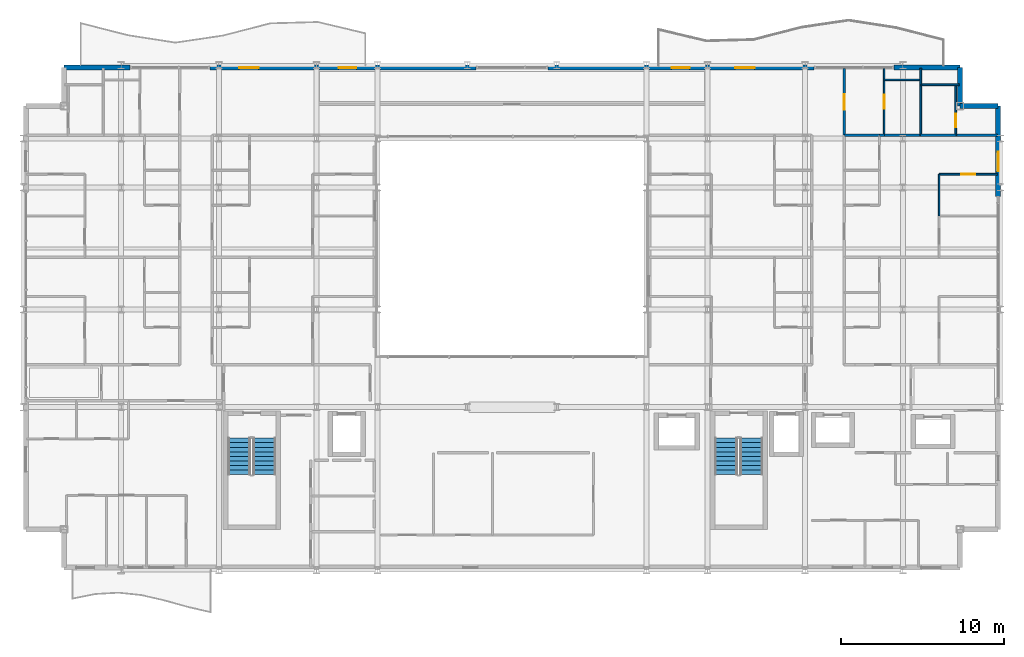
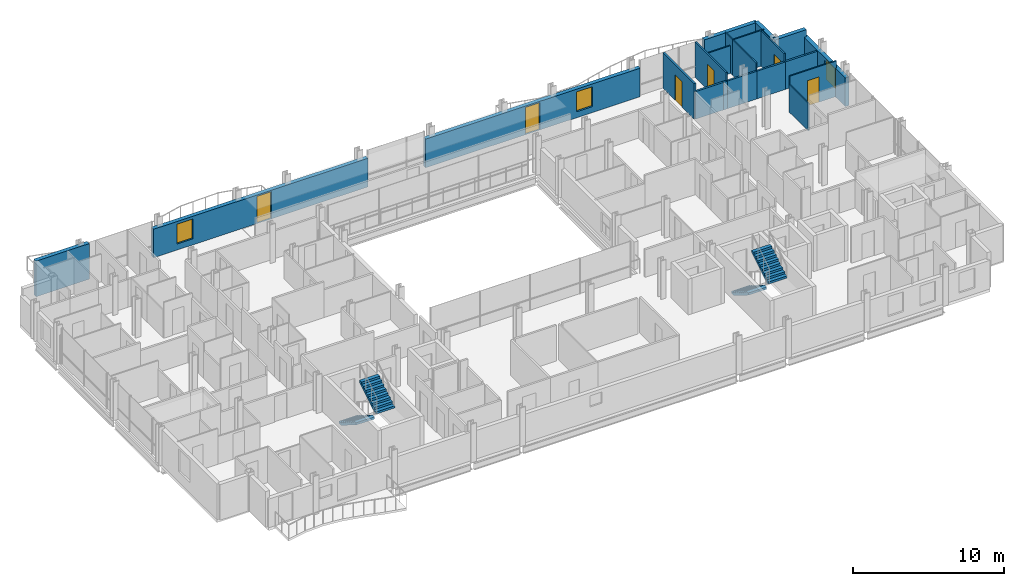
# One storey, part 37 of 40: 21 walls, 6 doors, 4 stair flights, 3 windows, 9 openings, 2 elements without a shape of their own.
"""IFC4 building model written with IfcOpenShell, lengths in metres."""

from ifc_helpers import new_model, si_unit, direction, frame, frame_2d, origin, place, context, subcontext, project, spatial, polyline, rectangle, outline, extrude, material, layer, layer_set, type_object, element, fill, aggregate, save


model = new_model("IFC4")

# Units and contexts
model_context = context("Model", 3, precision=1e-05, world=origin(), true_north=direction((0.0, 1.0)))
body_context = subcontext(model_context, "Body", "Model", "MODEL_VIEW")
ifc_project = project(units=[si_unit("LENGTHUNIT", "METRE"), si_unit("AREAUNIT", "SQUARE_METRE"), si_unit("VOLUMEUNIT", "CUBIC_METRE"), si_unit("PLANEANGLEUNIT", "RADIAN"), si_unit("MASSUNIT", "GRAM", prefix="KILO")], contexts=[model_context])

# Site, building, storey
site_placement = place(None, origin())
site = spatial("IfcSite", under=ifc_project, at=site_placement, CompositionType="ELEMENT")
building_placement = place(site_placement, origin())
building = spatial("IfcBuilding", under=site, at=building_placement, Name="Brevholm Reach", CompositionType="ELEMENT")
storey_placement = place(building_placement, frame((0.0, 0.0, 80.699951171875)))
storey = spatial("IfcBuildingStorey", under=building, at=storey_placement, Name="L23", CompositionType="ELEMENT", Elevation=80.699951171875)

# Walls
ifc_material_1 = material(Name="Concrete C40/50", Category="concrete")
ifc_layer_1 = layer(ifc_material_1, 0.300048828125)
ifc_layer_set_1 = layer_set([ifc_layer_1], Name="Concrete C40/50")
wall_type_1 = type_object("IfcWallType", Name="WAL-EXT-300", PredefinedType="STANDARD", material=ifc_layer_set_1)
for number, where, z_axis, x_axis, name in (
    (1, (59.85009765625, 28.5, 0.0), (0.0, 0.0, 1.0), (-1.0, 0.0, 0.0), "L23 Facade Wall WAL-L23-CNE1"),
    (2, (57.5, 28.5, 0.0), (0.0, 0.0, 1.0), (0.0, 1.0, 0.0), "L23 Facade Wall WAL-L23-CNE2"),
):
    element("IfcWall", number, at=place(storey_placement, frame(where, z_axis=z_axis, x_axis=x_axis)), inside=storey, type_object=wall_type_1, Name=name, PredefinedType="STANDARD", context=body_context, shape_type="SweptSolid", body=[
        extrude(rectangle(XDim=2.35009765625, YDim=0.300048828125, at=frame_2d((1.175048828125, 0.0))), origin(), (0.0, 0.0, 1.0), 2.8701171875),
    ])

# Wall, opening, window
wall_1_placement = place(storey_placement, frame((59.85009765625, 22.949951171875, 0.0), z_axis=(0.0, 0.0, 1.0), x_axis=(0.0, 1.0, 0.0)))
wall_1 = element("IfcWall", 3, at=wall_1_placement, inside=storey, type_object=wall_type_1, Name="L23 Facade Wall WAL-L23-E-N", PredefinedType="STANDARD", context=body_context, shape_type="SweptSolid", body=[
    extrude(rectangle(XDim=5.550048828125, YDim=0.300048828125, at=frame_2d((2.77490234375, 0.0))), origin(), (0.0, 0.0, 1.0), 2.3056640625),
])
opening_1_placement = place(wall_1_placement, frame((1.530029296875, 0.0, 0.485107421875)))
opening_1 = element("IfcOpeningElement", 4, at=opening_1_placement, cuts=wall_1, Name="Opening WN-08", PredefinedType="OPENING", context=body_context, shape_type="SweptSolid", body=[
    extrude(rectangle(XDim=1.199951171875, YDim=1.60009765625, at=frame_2d((0.60009765625, 0.800048828125))), frame((0.0, 0.159912109375, 0.0), z_axis=(0.0, -1.0, 0.0), x_axis=(1.0, 0.0, 0.0)), (0.0, 0.0, 1.0), 0.320068359375),
])
ifc_material_2 = material(Name="Dark Anodised Aluminium and Solar-Control IGU Glass", Category="aluminium")
window_type = type_object("IfcWindowType", Name="WIN-RES-1200", PartitioningType="SINGLE_PANEL", PredefinedType="WINDOW", material=ifc_material_2)
window_1_placement = place(opening_1_placement, origin())
window_1 = element("IfcWindow", 5, at=window_1_placement, inside=storey, type_object=window_type, Name="L23 Window WIN-L23-EN-1", OverallHeight=1.60009765625, OverallWidth=1.199951171875, PartitioningType="SINGLE_PANEL", PredefinedType="WINDOW", context=body_context, shape_type="SweptSolid", body=[
    extrude(rectangle(XDim=1.199951171875, YDim=1.60009765625, at=frame_2d((0.60009765625, 0.800048828125))), frame((0.0, 0.030029296875, 0.0), z_axis=(0.0, -1.0, 0.0), x_axis=(1.0, 0.0, 0.0)), (0.0, 0.0, 1.0), 0.06005859375),
])
fill(opening_1, window_1)

# Walls
for number, where, z_axis, x_axis, name in (
    (6, (2.5, 30.85009765625, 0.0), (0.0, 0.0, 1.0), (1.0, 0.0, 0.0), "L23 Facade Wall WAL-L23-NP-W0"),
    (7, (53.449951171875, 30.85009765625, 0.0), (0.0, 0.0, 1.0), (1.0, 0.0, 0.0), "L23 Facade Wall WAL-L23-NP-E0"),
):
    element("IfcWall", number, at=place(storey_placement, frame(where, z_axis=z_axis, x_axis=x_axis)), inside=storey, type_object=wall_type_1, Name=name, PredefinedType="STANDARD", context=body_context, shape_type="SweptSolid", body=[
        extrude(rectangle(XDim=4.050048828125, YDim=0.300048828125, at=frame_2d((2.02490234375, 0.0))), origin(), (0.0, 0.0, 1.0), 2.8701171875),
    ])

# Wall, openings, door, window
wall_2_placement = place(storey_placement, frame((11.449951171875, 30.85009765625, 0.0), z_axis=(0.0, 0.0, 1.0), x_axis=(1.0, 0.0, 0.0)))
wall_2 = element("IfcWall", 8, at=wall_2_placement, inside=storey, type_object=wall_type_1, Name="L23 Facade Wall WAL-L23-NP-WL", PredefinedType="STANDARD", context=body_context, shape_type="SweptSolid", body=[
    extrude(rectangle(XDim=16.35009765625, YDim=0.300048828125, at=frame_2d((8.175048828125, 0.0))), origin(), (0.0, 0.0, 1.0), 2.3056640625),
])
opening_2_placement = place(wall_2_placement, frame((7.89794921875, 0.0, 0.0)))
opening_2 = element("IfcOpeningElement", 9, at=opening_2_placement, cuts=wall_2, Name="Opening BD-01", PredefinedType="OPENING", context=body_context, shape_type="SweptSolid", body=[
    extrude(rectangle(XDim=1.10009765625, YDim=2.199951171875, at=frame_2d((0.550048828125, 1.10009765625))), frame((0.0, 0.159912109375, 0.0), z_axis=(0.0, -1.0, 0.0), x_axis=(1.0, 0.0, 0.0)), (0.0, 0.0, 1.0), 0.320068359375),
])
opening_3_placement = place(wall_2_placement, frame((1.800048828125, 0.0, 0.485107421875)))
opening_3 = element("IfcOpeningElement", 10, at=opening_3_placement, cuts=wall_2, Name="Opening WN-08", PredefinedType="OPENING", context=body_context, shape_type="SweptSolid", body=[
    extrude(rectangle(XDim=1.199951171875, YDim=1.60009765625, at=frame_2d((0.60009765625, 0.800048828125))), frame((0.0, 0.159912109375, 0.0), z_axis=(0.0, -1.0, 0.0), x_axis=(1.0, 0.0, 0.0)), (0.0, 0.0, 1.0), 0.320068359375),
])
ifc_material_3 = material(Name="Dark Anodised Aluminium and Triple-Glazed Glass", Category="aluminium")
door_type_1 = type_object("IfcDoorType", Name="DOR-BALC-1100", OperationType="NOTDEFINED", PredefinedType="DOOR", material=ifc_material_3)
door_1_placement = place(opening_2_placement, origin())
door_1 = element("IfcDoor", 11, at=door_1_placement, inside=storey, type_object=door_type_1, Name="L23 Exterior Door DOR-L23-BL-NW", OperationType="SINGLE_SWING_LEFT", OverallHeight=2.199951171875, OverallWidth=1.10009765625, PredefinedType="DOOR", context=body_context, shape_type="SweptSolid", body=[
    extrude(rectangle(XDim=1.10009765625, YDim=2.199951171875, at=frame_2d((0.550048828125, 1.10009765625))), frame((0.0, 0.02490234375, 0.0), z_axis=(0.0, -1.0, 0.0), x_axis=(1.0, 0.0, 0.0)), (0.0, 0.0, 1.0), 0.050048828125),
])
fill(opening_2, door_1)
window_2_placement = place(opening_3_placement, origin())
window_2 = element("IfcWindow", 12, at=window_2_placement, inside=storey, type_object=window_type, Name="L23 Window WIN-L23-NP-WL1", OverallHeight=1.60009765625, OverallWidth=1.199951171875, PartitioningType="SINGLE_PANEL", PredefinedType="WINDOW", context=body_context, shape_type="SweptSolid", body=[
    extrude(rectangle(XDim=1.199951171875, YDim=1.60009765625, at=frame_2d((0.60009765625, 0.800048828125))), frame((0.0, 0.030029296875, 0.0), z_axis=(0.0, -1.0, 0.0), x_axis=(1.0, 0.0, 0.0)), (0.0, 0.0, 1.0), 0.06005859375),
])
fill(opening_3, window_2)

wall_3_placement = place(storey_placement, frame((32.199951171875, 30.85009765625, 0.0), z_axis=(0.0, 0.0, 1.0), x_axis=(1.0, 0.0, 0.0)))
wall_3 = element("IfcWall", 13, at=wall_3_placement, inside=storey, type_object=wall_type_1, Name="L23 Facade Wall WAL-L23-NP-ER", PredefinedType="STANDARD", context=body_context, shape_type="SweptSolid", body=[
    extrude(rectangle(XDim=16.35009765625, YDim=0.300048828125, at=frame_2d((8.175048828125, 0.0))), origin(), (0.0, 0.0, 1.0), 2.3056640625),
])
opening_4_placement = place(wall_3_placement, frame((7.60009765625, 0.0, 0.0)))
opening_4 = element("IfcOpeningElement", 14, at=opening_4_placement, cuts=wall_3, Name="Opening BD-01", PredefinedType="OPENING", context=body_context, shape_type="SweptSolid", body=[
    extrude(rectangle(XDim=1.10009765625, YDim=2.199951171875, at=frame_2d((0.550048828125, 1.10009765625))), frame((0.0, 0.159912109375, 0.0), z_axis=(0.0, -1.0, 0.0), x_axis=(1.0, 0.0, 0.0)), (0.0, 0.0, 1.0), 0.320068359375),
])
opening_5_placement = place(wall_3_placement, frame((11.5, 0.0, 0.485107421875)))
opening_5 = element("IfcOpeningElement", 15, at=opening_5_placement, cuts=wall_3, Name="Opening WN-08", PredefinedType="OPENING", context=body_context, shape_type="SweptSolid", body=[
    extrude(rectangle(XDim=1.199951171875, YDim=1.60009765625, at=frame_2d((0.60009765625, 0.800048828125))), frame((0.0, 0.159912109375, 0.0), z_axis=(0.0, -1.0, 0.0), x_axis=(1.0, 0.0, 0.0)), (0.0, 0.0, 1.0), 0.320068359375),
])
door_2_placement = place(opening_4_placement, origin())
door_2 = element("IfcDoor", 16, at=door_2_placement, inside=storey, type_object=door_type_1, Name="L23 Exterior Door DOR-L23-BL-NE", OperationType="SINGLE_SWING_RIGHT", OverallHeight=2.199951171875, OverallWidth=1.10009765625, PredefinedType="DOOR", context=body_context, shape_type="SweptSolid", body=[
    extrude(rectangle(XDim=1.10009765625, YDim=2.199951171875, at=frame_2d((0.550048828125, 1.10009765625))), frame((0.0, 0.02490234375, 0.0), z_axis=(0.0, -1.0, 0.0), x_axis=(1.0, 0.0, 0.0)), (0.0, 0.0, 1.0), 0.050048828125),
])
fill(opening_4, door_2)
window_3_placement = place(opening_5_placement, origin())
window_3 = element("IfcWindow", 17, at=window_3_placement, inside=storey, type_object=window_type, Name="L23 Window WIN-L23-NP-ER1", OverallHeight=1.60009765625, OverallWidth=1.199951171875, PartitioningType="SINGLE_PANEL", PredefinedType="WINDOW", context=body_context, shape_type="SweptSolid", body=[
    extrude(rectangle(XDim=1.199951171875, YDim=1.60009765625, at=frame_2d((0.60009765625, 0.800048828125))), frame((0.0, 0.030029296875, 0.0), z_axis=(0.0, -1.0, 0.0), x_axis=(1.0, 0.0, 0.0)), (0.0, 0.0, 1.0), 0.06005859375),
])
fill(opening_5, window_3)

# Wall, opening, door
ifc_material_4 = material(Name="Moisture-Resistant Acoustic Gypsum Stud Partition 100 mm", Category="gypsum")
ifc_layer_2 = layer(ifc_material_4, 0.10009765625)
ifc_layer_set_2 = layer_set([ifc_layer_2], Name="Moisture-Resistant Acoustic Gypsum Stud Partition 100 mm")
wall_type_2 = type_object("IfcWallType", Name="WAL-PRT-100", PredefinedType="PARTITIONING", material=ifc_layer_set_2)
wall_4_placement = place(storey_placement, frame((56.22802734375, 24.300048828125, 0.0), z_axis=(0.0, 0.0, 1.0), x_axis=(1.0, 0.0, 0.0)))
wall_4 = element("IfcWall", 18, at=wall_4_placement, inside=storey, type_object=wall_type_2, Name="L23 Internal Partition 163", PredefinedType="PARTITIONING", context=body_context, shape_type="SweptSolid", body=[
    extrude(rectangle(XDim=3.572021484375, YDim=0.10009765625, at=frame_2d((1.7861328125, 0.0))), origin(), (0.0, 0.0, 1.0), 2.8701171875),
])
opening_6_placement = place(wall_4_placement, frame((1.345947265625, 0.0, 0.0)))
opening_6 = element("IfcOpeningElement", 19, at=opening_6_placement, cuts=wall_4, Name="Opening ID-01", PredefinedType="OPENING", context=body_context, shape_type="SweptSolid", body=[
    extrude(rectangle(XDim=0.8798828125, YDim=2.0400390625, at=frame_2d((0.43994140625, 1.02001953125))), frame((0.0, 0.06005859375, 0.0), z_axis=(0.0, -1.0, 0.0), x_axis=(1.0, 0.0, 0.0)), (0.0, 0.0, 1.0), 0.1201171875),
])
ifc_material_5 = material(Name="Lacquered Ash Solid-Core Acoustic Internal Door", Category="timber")
door_type_2 = type_object("IfcDoorType", Name="DOR-INT-880", OperationType="NOTDEFINED", PredefinedType="DOOR", material=ifc_material_5)
door_3_placement = place(opening_6_placement, origin())
door_3 = element("IfcDoor", 20, at=door_3_placement, inside=storey, type_object=door_type_2, Name="L23 Internal Door 063", OperationType="SINGLE_SWING_RIGHT", OverallHeight=2.0400390625, OverallWidth=0.8798828125, PredefinedType="DOOR", context=body_context, shape_type="SweptSolid", body=[
    extrude(rectangle(XDim=0.8798828125, YDim=2.0400390625, at=frame_2d((0.43994140625, 1.02001953125))), frame((0.0, 0.02490234375, 0.0), z_axis=(0.0, -1.0, 0.0), x_axis=(1.0, 0.0, 0.0)), (0.0, 0.0, 1.0), 0.050048828125),
])
fill(opening_6, door_3)

# Walls
wall_5_placement = place(storey_placement, frame((56.22802734375, 21.75390625, 0.0), z_axis=(0.0, 0.0, 1.0), x_axis=(0.0, 1.0, 0.0)))
element("IfcWall", 21, at=wall_5_placement, inside=storey, type_object=wall_type_2, Name="L23 Internal Partition 164", PredefinedType="PARTITIONING", context=body_context, shape_type="SweptSolid", body=[
    extrude(rectangle(XDim=2.546142578125, YDim=0.10009765625, at=frame_2d((1.27294921875, 0.0))), origin(), (0.0, 0.0, 1.0), 2.224853515625),
])
wall_6_placement = place(storey_placement, frame((55.10009765625, 26.7041015625, 0.0), z_axis=(0.0, 0.0, 1.0), x_axis=(0.0, 1.0, 0.0)))
element("IfcWall", 22, at=wall_6_placement, inside=storey, type_object=wall_type_2, Name="L23 Internal Partition 175", PredefinedType="PARTITIONING", context=body_context, shape_type="SweptSolid", body=[
    extrude(rectangle(XDim=3.095947265625, YDim=0.10009765625, at=frame_2d((1.5478515625, 0.0))), origin(), (0.0, 0.0, 1.0), 2.8701171875),
])

# Wall, opening, door
wall_7_placement = place(storey_placement, frame((57.25, 26.7041015625, 0.0), z_axis=(0.0, 0.0, 1.0), x_axis=(0.0, 1.0, 0.0)))
wall_7 = element("IfcWall", 23, at=wall_7_placement, inside=storey, type_object=wall_type_2, Name="L23 Internal Partition 176", PredefinedType="PARTITIONING", context=body_context, shape_type="SweptSolid", body=[
    extrude(rectangle(XDim=3.095947265625, YDim=0.10009765625, at=frame_2d((1.5478515625, 0.0))), origin(), (0.0, 0.0, 1.0), 2.8701171875),
])
opening_7_placement = place(wall_7_placement, frame((0.47802734375, 0.0, 0.0)))
opening_7 = element("IfcOpeningElement", 24, at=opening_7_placement, cuts=wall_7, Name="Opening ID-03", PredefinedType="OPENING", context=body_context, shape_type="SweptSolid", body=[
    extrude(rectangle(XDim=0.820068359375, YDim=2.02001953125, at=frame_2d((0.41015625, 1.010009765625))), frame((0.0, 0.06005859375, 0.0), z_axis=(0.0, -1.0, 0.0), x_axis=(1.0, 0.0, 0.0)), (0.0, 0.0, 1.0), 0.1201171875),
])
ifc_material_6 = material(Name="Moisture-Resistant Painted Timber Internal Bathroom Door", Category="wood")
door_type_3 = type_object("IfcDoorType", Name="DOR-BATH-820", OperationType="NOTDEFINED", PredefinedType="DOOR", material=ifc_material_6)
door_4_placement = place(opening_7_placement, origin())
door_4 = element("IfcDoor", 25, at=door_4_placement, inside=storey, type_object=door_type_3, Name="L23 Internal Door 066", OperationType="SINGLE_SWING_LEFT", OverallHeight=2.02001953125, OverallWidth=0.820068359375, PredefinedType="DOOR", context=body_context, shape_type="SweptSolid", body=[
    extrude(rectangle(XDim=0.820068359375, YDim=2.02001953125, at=frame_2d((0.41015625, 1.010009765625))), frame((0.0, 0.02490234375, 0.0), z_axis=(0.0, -1.0, 0.0), x_axis=(1.0, 0.0, 0.0)), (0.0, 0.0, 1.0), 0.050048828125),
])
fill(opening_7, door_4)

# Walls
wall_8_placement = place(storey_placement, frame((55.10009765625, 29.800048828125, 0.0), z_axis=(0.0, 0.0, 1.0), x_axis=(1.0, 0.0, 0.0)))
element("IfcWall", 26, at=wall_8_placement, inside=storey, type_object=wall_type_2, Name="L23 Internal Partition 177", PredefinedType="PARTITIONING", context=body_context, shape_type="SweptSolid", body=[
    extrude(rectangle(XDim=2.349853515625, YDim=0.10009765625, at=frame_2d((1.1748046875, 0.0))), origin(), (0.0, 0.0, 1.0), 2.8701171875),
])
wall_9_placement = place(storey_placement, frame((55.10009765625, 29.803955078125, 0.0), z_axis=(0.0, 0.0, 1.0), x_axis=(0.0, 1.0, 0.0)))
element("IfcWall", 27, at=wall_9_placement, inside=storey, type_object=wall_type_2, Name="L23 Internal Partition 178", PredefinedType="PARTITIONING", context=body_context, shape_type="SweptSolid", body=[
    extrude(rectangle(XDim=0.99609375, YDim=0.10009765625, at=frame_2d((0.498046875, 0.0))), origin(), (0.0, 0.0, 1.0), 2.8701171875),
])
wall_10_placement = place(storey_placement, frame((52.85009765625, 30.10009765625, 0.0), z_axis=(0.0, 0.0, 1.0), x_axis=(1.0, 0.0, 0.0)))
element("IfcWall", 28, at=wall_10_placement, inside=storey, type_object=wall_type_2, Name="L23 Internal Partition 179", PredefinedType="PARTITIONING", context=body_context, shape_type="SweptSolid", body=[
    extrude(rectangle(XDim=2.25, YDim=0.10009765625, at=frame_2d((1.125, 0.0))), origin(), (0.0, 0.0, 1.0), 2.224853515625),
])

# Wall, opening, door
wall_11_placement = place(storey_placement, frame((52.85009765625, 26.7041015625, 0.0), z_axis=(0.0, 0.0, 1.0), x_axis=(0.0, 1.0, 0.0)))
wall_11 = element("IfcWall", 29, at=wall_11_placement, inside=storey, type_object=wall_type_2, Name="L23 Internal Partition 180", PredefinedType="PARTITIONING", context=body_context, shape_type="SweptSolid", body=[
    extrude(rectangle(XDim=4.095947265625, YDim=0.10009765625, at=frame_2d((2.0478515625, 0.0))), origin(), (0.0, 0.0, 1.0), 2.8701171875),
])
opening_8_placement = place(wall_11_placement, frame((1.60791015625, 0.0, 0.0)))
opening_8 = element("IfcOpeningElement", 30, at=opening_8_placement, cuts=wall_11, Name="Opening ID-01", PredefinedType="OPENING", context=body_context, shape_type="SweptSolid", body=[
    extrude(rectangle(XDim=0.8798828125, YDim=2.0400390625, at=frame_2d((0.43994140625, 1.02001953125))), frame((0.0, 0.06005859375, 0.0), z_axis=(0.0, -1.0, 0.0), x_axis=(1.0, 0.0, 0.0)), (0.0, 0.0, 1.0), 0.1201171875),
])
door_5_placement = place(opening_8_placement, origin())
door_5 = element("IfcDoor", 31, at=door_5_placement, inside=storey, type_object=door_type_2, Name="L23 Internal Door 067", OperationType="SINGLE_SWING_RIGHT", OverallHeight=2.0400390625, OverallWidth=0.8798828125, PredefinedType="DOOR", context=body_context, shape_type="SweptSolid", body=[
    extrude(rectangle(XDim=0.8798828125, YDim=2.0400390625, at=frame_2d((0.43994140625, 1.02001953125))), frame((0.0, 0.02490234375, 0.0), z_axis=(0.0, -1.0, 0.0), x_axis=(1.0, 0.0, 0.0)), (0.0, 0.0, 1.0), 0.050048828125),
])
fill(opening_8, door_5)

ifc_material_7 = material(Name="Twin-Stud Acoustic Fire-Rated Gypsum Partition 140 mm", Category="gypsum")
ifc_layer_3 = layer(ifc_material_7, 0.139892578125)
ifc_layer_set_3 = layer_set([ifc_layer_3], Name="Twin-Stud Acoustic Fire-Rated Gypsum Partition 140 mm")
wall_type_3 = type_object("IfcWallType", Name="WAL-PRT-140", PredefinedType="PARTITIONING", material=ifc_layer_set_3)
wall_12_placement = place(storey_placement, frame((50.39990234375, 26.692626953125, 0.0), z_axis=(0.0, 0.0, 1.0), x_axis=(0.0, 1.0, 0.0)))
wall_12 = element("IfcWall", 32, at=wall_12_placement, inside=storey, type_object=wall_type_3, Name="L23 Internal Partition 058", PredefinedType="PARTITIONING", context=body_context, shape_type="SweptSolid", body=[
    extrude(rectangle(XDim=4.107421875, YDim=0.139892578125, at=frame_2d((2.0537109375, 0.0))), origin(), (0.0, 0.0, 1.0), 2.8701171875),
])
opening_9_placement = place(wall_12_placement, frame((1.57861328125, 0.0, 0.0)))
opening_9 = element("IfcOpeningElement", 33, at=opening_9_placement, cuts=wall_12, Name="Opening ID-30", PredefinedType="OPENING", context=body_context, shape_type="SweptSolid", body=[
    extrude(rectangle(XDim=0.949951171875, YDim=2.050048828125, at=frame_2d((0.47509765625, 1.02490234375))), frame((0.0, 0.079833984375, 0.0), z_axis=(0.0, -1.0, 0.0), x_axis=(1.0, 0.0, 0.0)), (0.0, 0.0, 1.0), 0.159912109375),
])
ifc_material_8 = material(Name="European Oak Veneered Solid-Core Fire Entrance Door", Category="timber")
door_type_4 = type_object("IfcDoorType", Name="DOR-FLT-FD30S", OperationType="NOTDEFINED", PredefinedType="DOOR", material=ifc_material_8)
door_6_placement = place(opening_9_placement, origin())
door_6 = element("IfcDoor", 34, at=door_6_placement, inside=storey, type_object=door_type_4, Name="L23 Internal Door 025", OperationType="SINGLE_SWING_RIGHT", OverallHeight=2.050048828125, OverallWidth=0.949951171875, PredefinedType="DOOR", context=body_context, shape_type="SweptSolid", body=[
    extrude(rectangle(XDim=0.949951171875, YDim=2.050048828125, at=frame_2d((0.47509765625, 1.02490234375))), frame((0.0, 0.02490234375, 0.0), z_axis=(0.0, -1.0, 0.0), x_axis=(1.0, 0.0, 0.0)), (0.0, 0.0, 1.0), 0.050048828125),
])
fill(opening_9, door_6)

# Walls
wall_13_placement = place(storey_placement, frame((50.404052734375, 26.699951171875, 0.0), z_axis=(0.0, 0.0, 1.0), x_axis=(1.0, 0.0, 0.0)))
element("IfcWall", 35, at=wall_13_placement, inside=storey, type_object=wall_type_3, Name="L23 Internal Partition 158", PredefinedType="PARTITIONING", context=body_context, shape_type="SweptSolid", body=[
    extrude(rectangle(XDim=2.157958984375, YDim=0.139892578125, at=frame_2d((1.0791015625, 0.0))), origin(), (0.0, 0.0, 1.0), 2.224853515625),
])
wall_14_placement = place(storey_placement, frame((55.088623046875, 26.699951171875, 0.0), z_axis=(0.0, 0.0, 1.0), x_axis=(1.0, 0.0, 0.0)))
element("IfcWall", 36, at=wall_14_placement, inside=storey, type_object=wall_type_3, Name="L23 Internal Partition 165", PredefinedType="PARTITIONING", context=body_context, shape_type="SweptSolid", body=[
    extrude(rectangle(XDim=2.172607421875, YDim=0.139892578125, at=frame_2d((1.08642578125, 0.0))), origin(), (0.0, 0.0, 1.0), 2.224853515625),
])
wall_15_placement = place(storey_placement, frame((52.838623046875, 26.699951171875, 0.0), z_axis=(0.0, 0.0, 1.0), x_axis=(1.0, 0.0, 0.0)))
element("IfcWall", 37, at=wall_15_placement, inside=storey, type_object=wall_type_3, Name="L23 Internal Partition 166", PredefinedType="PARTITIONING", context=body_context, shape_type="SweptSolid", body=[
    extrude(rectangle(XDim=2.268798828125, YDim=0.139892578125, at=frame_2d((1.13427734375, 0.0))), origin(), (0.0, 0.0, 1.0), 2.224853515625),
])
wall_16_placement = place(storey_placement, frame((57.24267578125, 26.699951171875, 0.0), z_axis=(0.0, 0.0, 1.0), x_axis=(1.0, 0.0, 0.0)))
element("IfcWall", 38, at=wall_16_placement, inside=storey, type_object=wall_type_3, Name="L23 Internal Partition 167", PredefinedType="PARTITIONING", context=body_context, shape_type="SweptSolid", body=[
    extrude(rectangle(XDim=2.557373046875, YDim=0.139892578125, at=frame_2d((1.27880859375, 0.0))), origin(), (0.0, 0.0, 1.0), 2.224853515625),
])
wall_17_placement = place(storey_placement, frame((52.56591796875, 26.699951171875, 0.0), z_axis=(0.0, 0.0, 1.0), x_axis=(1.0, 0.0, 0.0)))
element("IfcWall", 39, at=wall_17_placement, inside=storey, type_object=wall_type_3, Name="L23 Internal Partition 168", PredefinedType="PARTITIONING", context=body_context, shape_type="SweptSolid", body=[
    extrude(rectangle(XDim=0.29150390625, YDim=0.139892578125, at=frame_2d((0.145751953125, 0.0))), origin(), (0.0, 0.0, 1.0), 2.224853515625),
])

# Stair, stair flights
ifc_material_9 = material(Name="Precast Concrete C40/50", Category="concrete")
stair_type = type_object("IfcStairType", Name="STR-ESC-1400", PredefinedType="DOUBLE_RETURN_STAIR", material=ifc_material_9)
stair_1_placement = place(storey_placement, origin())
stair_1 = element("IfcStair", 40, at=stair_1_placement, inside=storey, type_object=stair_type, Name="L23 ST-1", PredefinedType="DOUBLE_RETURN_STAIR")
ifc_material_10 = material(Name="Precast Concrete C40/50", Category="concrete")
ifc_layer_4 = layer(ifc_material_10, 0.18505859375)
ifc_layer_set_4 = layer_set([ifc_layer_4], Name="Precast Concrete C40/50")
stair_flight_type = type_object("IfcStairFlightType", Name="STF-PRC-185", PredefinedType="STRAIGHT", material=ifc_layer_set_4)
stair_flight_1_placement = place(storey_placement, frame((13.25, 8.10009765625, 0.0), z_axis=(0.0, 0.0, 1.0), x_axis=(0.0, -1.0, 0.0)))
stair_flight_1 = element("IfcStairFlight", 41, at=stair_flight_1_placement, type_object=stair_flight_type, Name="ST-1 flight 1", NumberOfRisers=9, NumberOfTreads=8, PredefinedType="STRAIGHT", RiserHeight=0.172222222, TreadLength=0.28, context=body_context, shape_type="SweptSolid", body=[
    extrude(outline(polyline([(0.0, 0.0), (0.0, 0.172119140625), (0.280029296875, 0.172119140625), (0.280029296875, 0.344482421875), (0.56005859375, 0.344482421875), (0.56005859375, 0.5166015625), (0.840087890625, 0.5166015625), (0.840087890625, 0.68896484375), (1.1201171875, 0.68896484375), (1.1201171875, 0.861083984375), (1.39990234375, 0.861083984375), (1.39990234375, 1.033447265625), (1.679931640625, 1.033447265625), (1.679931640625, 1.20556640625), (1.9599609375, 1.20556640625), (1.9599609375, 1.377685546875), (2.239990234375, 1.377685546875), (2.239990234375, 1.550048828125), (2.239990234375, 1.201904296875), (0.2861328125, 0.0), (0.0, 0.0)])), frame((0.0, 0.699951171875, 0.0), z_axis=(0.0, -1.0, 0.0), x_axis=(1.0, 0.0, 0.0)), (0.0, 0.0, 1.0), 1.39990234375),
])
stair_flight_2_placement = place(storey_placement, frame((14.800048828125, 5.860107421875, 1.550048828125), z_axis=(0.0, 0.0, 1.0), x_axis=(0.0, 1.0, 0.0)))
stair_flight_2 = element("IfcStairFlight", 42, at=stair_flight_2_placement, type_object=stair_flight_type, Name="ST-1 flight 2", NumberOfRisers=9, NumberOfTreads=8, PredefinedType="STRAIGHT", RiserHeight=0.172222222, TreadLength=0.28, context=body_context, shape_type="SweptSolid", body=[
    extrude(outline(polyline([(0.0, 0.0), (0.0, 0.172119140625), (0.280029296875, 0.172119140625), (0.280029296875, 0.344482421875), (0.56005859375, 0.344482421875), (0.56005859375, 0.5166015625), (0.840087890625, 0.5166015625), (0.840087890625, 0.68896484375), (1.1201171875, 0.68896484375), (1.1201171875, 0.861083984375), (1.39990234375, 0.861083984375), (1.39990234375, 1.033447265625), (1.679931640625, 1.033447265625), (1.679931640625, 1.20556640625), (1.9599609375, 1.20556640625), (1.9599609375, 1.377685546875), (2.239990234375, 1.377685546875), (2.239990234375, 1.550048828125), (2.239990234375, 1.201904296875), (0.2861328125, 0.0), (0.0, 0.0)])), frame((0.0, 0.699951171875, 0.0), z_axis=(0.0, -1.0, 0.0), x_axis=(1.0, 0.0, 0.0)), (0.0, 0.0, 1.0), 1.39990234375),
])
aggregate(stair_1, [stair_flight_1, stair_flight_2])

stair_2_placement = place(storey_placement, origin())
stair_2 = element("IfcStair", 43, at=stair_2_placement, inside=storey, type_object=stair_type, Name="L23 ST-2", PredefinedType="DOUBLE_RETURN_STAIR")
stair_flight_3_placement = place(storey_placement, frame((43.14990234375, 8.10009765625, 0.0), z_axis=(0.0, 0.0, 1.0), x_axis=(0.0, -1.0, 0.0)))
stair_flight_3 = element("IfcStairFlight", 44, at=stair_flight_3_placement, type_object=stair_flight_type, Name="ST-2 flight 1", NumberOfRisers=9, NumberOfTreads=8, PredefinedType="STRAIGHT", RiserHeight=0.172222222, TreadLength=0.28, context=body_context, shape_type="SweptSolid", body=[
    extrude(outline(polyline([(0.0, 0.0), (0.0, 0.172119140625), (0.280029296875, 0.172119140625), (0.280029296875, 0.344482421875), (0.56005859375, 0.344482421875), (0.56005859375, 0.5166015625), (0.840087890625, 0.5166015625), (0.840087890625, 0.68896484375), (1.1201171875, 0.68896484375), (1.1201171875, 0.861083984375), (1.39990234375, 0.861083984375), (1.39990234375, 1.033447265625), (1.679931640625, 1.033447265625), (1.679931640625, 1.20556640625), (1.9599609375, 1.20556640625), (1.9599609375, 1.377685546875), (2.239990234375, 1.377685546875), (2.239990234375, 1.550048828125), (2.239990234375, 1.201904296875), (0.2861328125, 0.0), (0.0, 0.0)])), frame((0.0, 0.699951171875, 0.0), z_axis=(0.0, -1.0, 0.0), x_axis=(1.0, 0.0, 0.0)), (0.0, 0.0, 1.0), 1.39990234375),
])
stair_flight_4_placement = place(storey_placement, frame((44.699951171875, 5.860107421875, 1.550048828125), z_axis=(0.0, 0.0, 1.0), x_axis=(0.0, 1.0, 0.0)))
stair_flight_4 = element("IfcStairFlight", 45, at=stair_flight_4_placement, type_object=stair_flight_type, Name="ST-2 flight 2", NumberOfRisers=9, NumberOfTreads=8, PredefinedType="STRAIGHT", RiserHeight=0.172222222, TreadLength=0.28, context=body_context, shape_type="SweptSolid", body=[
    extrude(outline(polyline([(0.0, 0.0), (0.0, 0.172119140625), (0.280029296875, 0.172119140625), (0.280029296875, 0.344482421875), (0.56005859375, 0.344482421875), (0.56005859375, 0.5166015625), (0.840087890625, 0.5166015625), (0.840087890625, 0.68896484375), (1.1201171875, 0.68896484375), (1.1201171875, 0.861083984375), (1.39990234375, 0.861083984375), (1.39990234375, 1.033447265625), (1.679931640625, 1.033447265625), (1.679931640625, 1.20556640625), (1.9599609375, 1.20556640625), (1.9599609375, 1.377685546875), (2.239990234375, 1.377685546875), (2.239990234375, 1.550048828125), (2.239990234375, 1.201904296875), (0.2861328125, 0.0), (0.0, 0.0)])), frame((0.0, 0.699951171875, 0.0), z_axis=(0.0, -1.0, 0.0), x_axis=(1.0, 0.0, 0.0)), (0.0, 0.0, 1.0), 1.39990234375),
])
aggregate(stair_2, [stair_flight_3, stair_flight_4])

save(model, "model.ifc")
